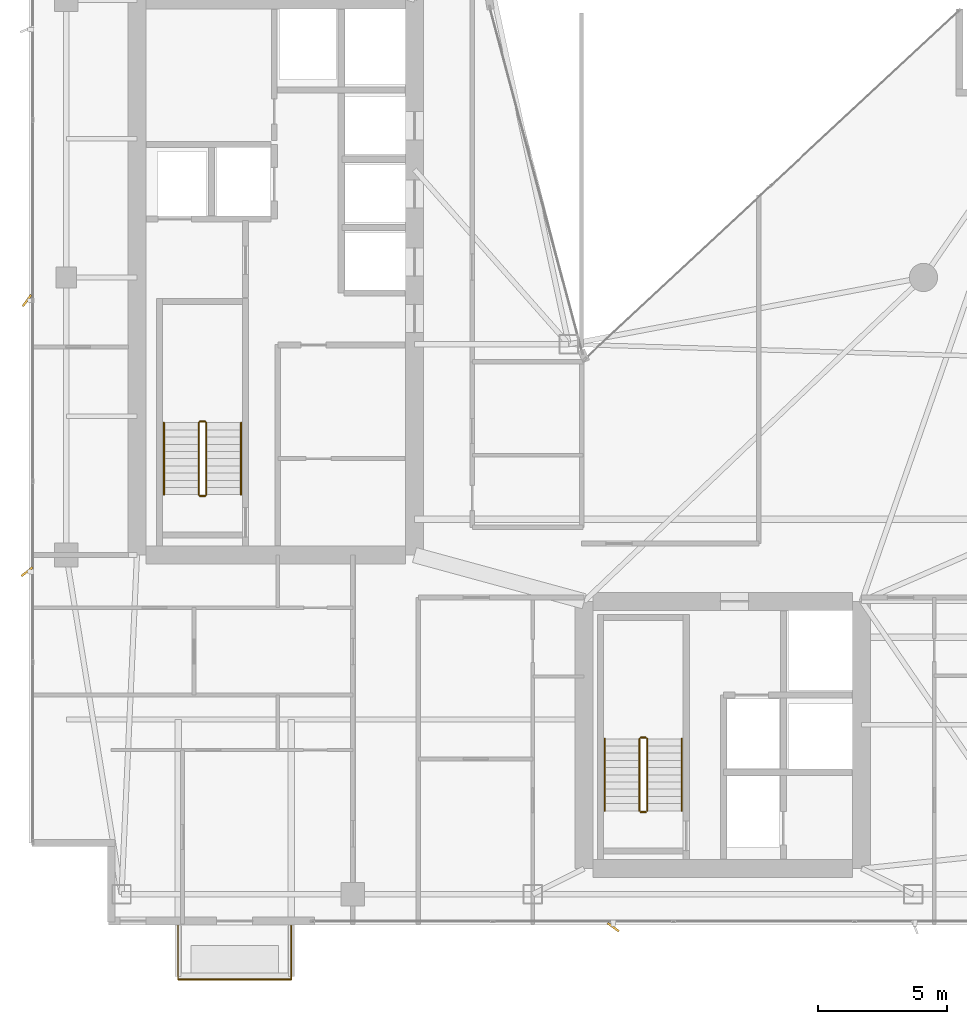
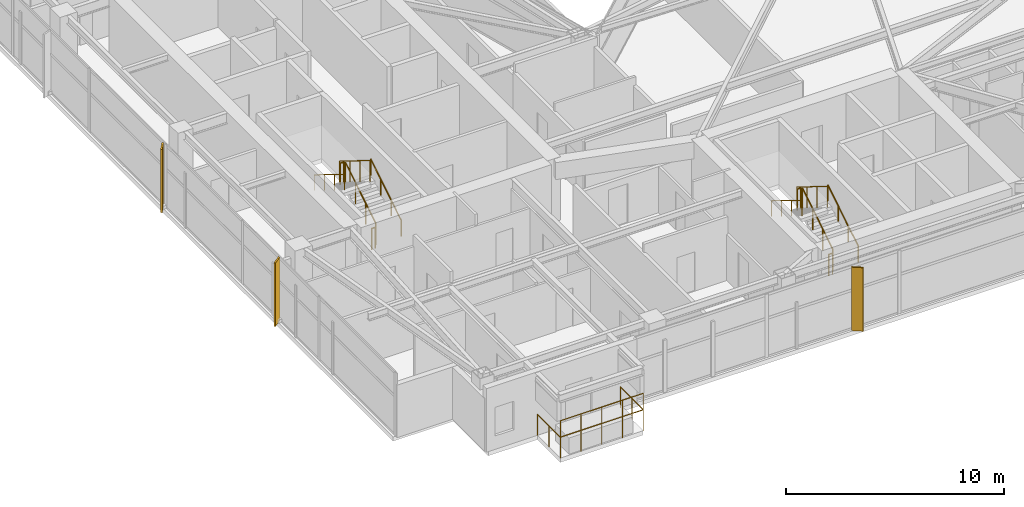
# One storey, part 26 of 27: 14 railings, 3 shading devices.
"""IFC4 building model written with IfcOpenShell, lengths in metres."""

from ifc_helpers import new_model, si_unit, direction, frame, origin, origin_2d, place, context, subcontext, project, spatial, rectangle, circle, extrude, material, type_object, element, save


model = new_model("IFC4")

# Units and contexts
model_context = context("Model", 3, precision=1e-05, world=origin(), true_north=direction((0.0, 1.0)))
body_context = subcontext(model_context, "Body", "Model", "MODEL_VIEW")
ifc_project = project(units=[si_unit("LENGTHUNIT", "METRE"), si_unit("AREAUNIT", "SQUARE_METRE"), si_unit("VOLUMEUNIT", "CUBIC_METRE"), si_unit("PLANEANGLEUNIT", "RADIAN"), si_unit("MASSUNIT", "GRAM", prefix="KILO")], contexts=[model_context])

# Site, building, storey
site_placement = place(None, origin())
site = spatial("IfcSite", under=ifc_project, at=site_placement, CompositionType="ELEMENT")
building_placement = place(site_placement, origin())
building = spatial("IfcBuilding", under=site, at=building_placement, Name="Calvorn Quay Hotel", CompositionType="ELEMENT")
storey_placement = place(building_placement, frame((0.0, 0.0, 223.10009765625)))
storey = spatial("IfcBuildingStorey", under=building, at=storey_placement, Name="L55", CompositionType="ELEMENT", Elevation=223.10009765625)

# Railings
ifc_material_1 = material(Name="Pale Anodised Aluminium and Laminated Glass", Category="aluminium")
railing_type_1 = type_object("IfcRailingType", Name="RLG-BALUSTRADE-1200", PredefinedType="BALUSTRADE", material=ifc_material_1)
railing_1_placement = place(storey_placement, frame((5.800048828125, 2.389892578125, 0.0)))
element("IfcRailing", 1, at=railing_1_placement, inside=storey, type_object=railing_type_1, Name="Tree Balcony Perimeter Balustrade L55-BALC-S", PredefinedType="BALUSTRADE", context=body_context, shape_type="SweptSolid", body=[
    extrude(circle(Radius=0.02392578125, at=origin_2d()), frame((0.0, 0.0, 1.17578125), z_axis=(0.0, -1.0, 0.0), x_axis=(1.0, 0.0, 0.0)), (0.0, 0.0, 1.0), 2.099853515625),
    extrude(circle(Radius=0.02392578125, at=origin_2d()), frame((0.0, -2.099853515625, 1.17578125), z_axis=(1.0, 0.0, 0.0), x_axis=(0.0, 1.0, 0.0)), (0.0, 0.0, 1.0), 4.39990234375),
    extrude(circle(Radius=0.02392578125, at=origin_2d()), frame((4.39990234375, -2.099853515625, 1.17578125), z_axis=(0.0, 1.0, 0.0), x_axis=(-1.0, 0.0, 0.0)), (0.0, 0.0, 1.0), 2.099853515625),
    extrude(circle(Radius=0.02099609375, at=origin_2d()), origin(), (0.0, 0.0, 1.0), 1.15185546875),
    extrude(circle(Radius=0.02099609375, at=origin_2d()), frame((0.0, -1.0498046875, 0.0)), (0.0, 0.0, 1.0), 1.15185546875),
    extrude(circle(Radius=0.02099609375, at=origin_2d()), frame((0.0, -2.099853515625, 0.0)), (0.0, 0.0, 1.0), 1.15185546875),
    extrude(circle(Radius=0.02099609375, at=origin_2d()), frame((1.10009765625, -2.099853515625, 0.0)), (0.0, 0.0, 1.0), 1.15185546875),
    extrude(circle(Radius=0.02099609375, at=origin_2d()), frame((2.199951171875, -2.099853515625, 0.0)), (0.0, 0.0, 1.0), 1.15185546875),
    extrude(circle(Radius=0.02099609375, at=origin_2d()), frame((3.2998046875, -2.099853515625, 0.0)), (0.0, 0.0, 1.0), 1.15185546875),
    extrude(circle(Radius=0.02099609375, at=origin_2d()), frame((4.39990234375, -2.099853515625, 0.0)), (0.0, 0.0, 1.0), 1.15185546875),
    extrude(circle(Radius=0.02099609375, at=origin_2d()), frame((4.39990234375, -1.0498046875, 0.0)), (0.0, 0.0, 1.0), 1.15185546875),
    extrude(circle(Radius=0.02099609375, at=origin_2d()), frame((4.39990234375, 0.0, 0.0)), (0.0, 0.0, 1.0), 1.15185546875),
])
railing_2_placement = place(storey_placement, frame((5.800048828125, 0.2900390625, 0.89990234375)))
element("IfcRailing", 2, at=railing_2_placement, inside=storey, type_object=railing_type_1, Name="Planter Kerb High Safety Screen L55-BALC-S", PredefinedType="BALUSTRADE", context=body_context, shape_type="SweptSolid", body=[
    extrude(circle(Radius=0.02392578125, at=origin_2d()), frame((0.0, 0.0, 1.19580078125), z_axis=(1.0, 0.0, 0.0), x_axis=(0.0, 1.0, 0.0)), (0.0, 0.0, 1.0), 4.39990234375),
    extrude(circle(Radius=0.02099609375, at=origin_2d()), origin(), (0.0, 0.0, 1.0), 1.171875),
    extrude(circle(Radius=0.02099609375, at=origin_2d()), frame((1.10009765625, 0.0, 0.0)), (0.0, 0.0, 1.0), 1.171875),
    extrude(circle(Radius=0.02099609375, at=origin_2d()), frame((2.199951171875, 0.0, 0.0)), (0.0, 0.0, 1.0), 1.171875),
    extrude(circle(Radius=0.02099609375, at=origin_2d()), frame((3.2998046875, 0.0, 0.0)), (0.0, 0.0, 1.0), 1.171875),
    extrude(circle(Radius=0.02099609375, at=origin_2d()), frame((4.39990234375, 0.0, 0.0)), (0.0, 0.0, 1.0), 1.171875),
])
ifc_material_2 = material(Name="Brushed Stainless Steel Handrail", Category="steel")
railing_type_2 = type_object("IfcRailingType", Name="RLG-HANDRAIL-900", PredefinedType="HANDRAIL", material=ifc_material_2)
railing_3_placement = place(storey_placement, frame((8.25, 19.14990234375, 0.172607421875)))
element("IfcRailing", 3, at=railing_3_placement, inside=storey, type_object=railing_type_2, Name="L55 ST-W stair handrail 1", PredefinedType="HANDRAIL", context=body_context, shape_type="SweptSolid", body=[
    extrude(circle(Radius=0.02392578125, at=origin_2d()), frame((0.0, 0.0, 0.8759765625), z_axis=(0.0, 0.851089632645, 0.525020415988), x_axis=(-1.0, 0.0, 0.0)), (0.0, 0.0, 1.0), 3.2900390625),
    extrude(circle(Radius=0.02099609375, at=origin_2d()), origin(), (0.0, 0.0, 1.0), 0.851806640625),
    extrude(circle(Radius=0.02099609375, at=origin_2d()), frame((0.0, 0.933349609375, 0.57568359375)), (0.0, 0.0, 1.0), 0.851806640625),
    extrude(circle(Radius=0.02099609375, at=origin_2d()), frame((0.0, 1.86669921875, 1.151611328125)), (0.0, 0.0, 1.0), 0.851806640625),
    extrude(circle(Radius=0.02099609375, at=origin_2d()), frame((0.0, 2.800048828125, 1.727294921875)), (0.0, 0.0, 1.0), 0.851806640625),
])
railing_4_placement = place(storey_placement, frame((5.25, 21.949951171875, 2.072509765625)))
element("IfcRailing", 4, at=railing_4_placement, inside=storey, type_object=railing_type_2, Name="L55 ST-W stair handrail 2", PredefinedType="HANDRAIL", context=body_context, shape_type="SweptSolid", body=[
    extrude(circle(Radius=0.02392578125, at=origin_2d()), frame((0.0, 0.0, 0.8759765625), z_axis=(0.0, -0.851089632645, 0.525020415988), x_axis=(1.0, 0.0, 0.0)), (0.0, 0.0, 1.0), 3.2900390625),
    extrude(circle(Radius=0.02099609375, at=origin_2d()), origin(), (0.0, 0.0, 1.0), 0.851806640625),
    extrude(circle(Radius=0.02099609375, at=origin_2d()), frame((0.0, -0.933349609375, 0.57568359375)), (0.0, 0.0, 1.0), 0.851806640625),
    extrude(circle(Radius=0.02099609375, at=origin_2d()), frame((0.0, -1.86669921875, 1.151611328125)), (0.0, 0.0, 1.0), 0.851806640625),
    extrude(circle(Radius=0.02099609375, at=origin_2d()), frame((0.0, -2.800048828125, 1.727294921875)), (0.0, 0.0, 1.0), 0.851806640625),
])
railing_5_placement = place(storey_placement, frame((25.39990234375, 6.85009765625, 0.172607421875)))
element("IfcRailing", 5, at=railing_5_placement, inside=storey, type_object=railing_type_2, Name="L55 ST-E stair handrail 1", PredefinedType="HANDRAIL", context=body_context, shape_type="SweptSolid", body=[
    extrude(circle(Radius=0.02392578125, at=origin_2d()), frame((0.0, 0.0, 0.8759765625), z_axis=(0.0, 0.851069175582, 0.525053576669), x_axis=(-1.0, 0.0, 0.0)), (0.0, 0.0, 1.0), 3.289794921875),
    extrude(circle(Radius=0.02099609375, at=origin_2d()), origin(), (0.0, 0.0, 1.0), 0.851806640625),
    extrude(circle(Radius=0.02099609375, at=origin_2d()), frame((0.0, 0.933349609375, 0.57568359375)), (0.0, 0.0, 1.0), 0.851806640625),
    extrude(circle(Radius=0.02099609375, at=origin_2d()), frame((0.0, 1.866455078125, 1.151611328125)), (0.0, 0.0, 1.0), 0.851806640625),
    extrude(circle(Radius=0.02099609375, at=origin_2d()), frame((0.0, 2.7998046875, 1.727294921875)), (0.0, 0.0, 1.0), 0.851806640625),
])
railing_6_placement = place(storey_placement, frame((22.39990234375, 9.64990234375, 2.072509765625)))
element("IfcRailing", 6, at=railing_6_placement, inside=storey, type_object=railing_type_2, Name="L55 ST-E stair handrail 2", PredefinedType="HANDRAIL", context=body_context, shape_type="SweptSolid", body=[
    extrude(circle(Radius=0.02392578125, at=origin_2d()), frame((0.0, 0.0, 0.8759765625), z_axis=(0.0, -0.851069175582, 0.525053576669), x_axis=(1.0, 0.0, 0.0)), (0.0, 0.0, 1.0), 3.289794921875),
    extrude(circle(Radius=0.02099609375, at=origin_2d()), origin(), (0.0, 0.0, 1.0), 0.851806640625),
    extrude(circle(Radius=0.02099609375, at=origin_2d()), frame((0.0, -0.933349609375, 0.57568359375)), (0.0, 0.0, 1.0), 0.851806640625),
    extrude(circle(Radius=0.02099609375, at=origin_2d()), frame((0.0, -1.866455078125, 1.151611328125)), (0.0, 0.0, 1.0), 0.851806640625),
    extrude(circle(Radius=0.02099609375, at=origin_2d()), frame((0.0, -2.7998046875, 1.727294921875)), (0.0, 0.0, 1.0), 0.851806640625),
])
ifc_material_3 = material(Name="Painted Galvanised Steel Balustrade", Category="steel")
railing_type_3 = type_object("IfcRailingType", Name="RLG-STAIR-GUARD-1120", PredefinedType="GUARDRAIL", material=ifc_material_3)
railing_7_placement = place(storey_placement, frame((6.89990234375, 19.14990234375, 0.172607421875)))
element("IfcRailing", 7, at=railing_7_placement, inside=storey, type_object=railing_type_3, Name="L55 ST-W stair guard 1", PredefinedType="GUARDRAIL", context=body_context, shape_type="SweptSolid", body=[
    extrude(circle(Radius=0.02392578125, at=origin_2d()), frame((0.0, 0.0, 1.17578125), z_axis=(0.0, 0.851089632645, 0.525020415988), x_axis=(-1.0, 0.0, 0.0)), (0.0, 0.0, 1.0), 3.2900390625),
    extrude(circle(Radius=0.02099609375, at=origin_2d()), origin(), (0.0, 0.0, 1.0), 1.15185546875),
    extrude(circle(Radius=0.02099609375, at=origin_2d()), frame((0.0, 0.933349609375, 0.57568359375)), (0.0, 0.0, 1.0), 1.15185546875),
    extrude(circle(Radius=0.02099609375, at=origin_2d()), frame((0.0, 1.86669921875, 1.151611328125)), (0.0, 0.0, 1.0), 1.15185546875),
    extrude(circle(Radius=0.02099609375, at=origin_2d()), frame((0.0, 2.800048828125, 1.727294921875)), (0.0, 0.0, 1.0), 1.15185546875),
])
railing_8_placement = place(storey_placement, frame((6.85009765625, 22.0, 1.89990234375)))
element("IfcRailing", 8, at=railing_8_placement, inside=storey, type_object=railing_type_3, Name="L55 ST-W stair guard 2", PredefinedType="GUARDRAIL", context=body_context, shape_type="SweptSolid", body=[
    extrude(circle(Radius=0.02392578125, at=origin_2d()), frame((0.0, 0.0, 1.17578125), z_axis=(-1.0, 0.0, 0.0), x_axis=(0.0, -1.0, 0.0)), (0.0, 0.0, 1.0), 0.2001953125),
    extrude(circle(Radius=0.02099609375, at=origin_2d()), origin(), (0.0, 0.0, 1.0), 1.15185546875),
    extrude(circle(Radius=0.02099609375, at=origin_2d()), frame((-0.2001953125, 0.0, 0.0)), (0.0, 0.0, 1.0), 1.15185546875),
])
railing_9_placement = place(storey_placement, frame((6.60009765625, 21.949951171875, 2.072509765625)))
element("IfcRailing", 9, at=railing_9_placement, inside=storey, type_object=railing_type_3, Name="L55 ST-W stair guard 3", PredefinedType="GUARDRAIL", context=body_context, shape_type="SweptSolid", body=[
    extrude(circle(Radius=0.02392578125, at=origin_2d()), frame((0.0, 0.0, 1.17578125), z_axis=(0.0, -0.851089632645, 0.525020415988), x_axis=(1.0, 0.0, 0.0)), (0.0, 0.0, 1.0), 3.2900390625),
    extrude(circle(Radius=0.02099609375, at=origin_2d()), origin(), (0.0, 0.0, 1.0), 1.15185546875),
    extrude(circle(Radius=0.02099609375, at=origin_2d()), frame((0.0, -0.933349609375, 0.57568359375)), (0.0, 0.0, 1.0), 1.15185546875),
    extrude(circle(Radius=0.02099609375, at=origin_2d()), frame((0.0, -1.86669921875, 1.151611328125)), (0.0, 0.0, 1.0), 1.15185546875),
    extrude(circle(Radius=0.02099609375, at=origin_2d()), frame((0.0, -2.800048828125, 1.727294921875)), (0.0, 0.0, 1.0), 1.15185546875),
])
railing_10_placement = place(storey_placement, frame((6.85009765625, 19.10009765625, 0.0)))
element("IfcRailing", 10, at=railing_10_placement, inside=storey, type_object=railing_type_3, Name="L55 ST-W stair guard 4", PredefinedType="GUARDRAIL", context=body_context, shape_type="SweptSolid", body=[
    extrude(circle(Radius=0.02392578125, at=origin_2d()), frame((0.0, 0.0, 1.17578125), z_axis=(-1.0, 0.0, 0.0), x_axis=(0.0, -1.0, 0.0)), (0.0, 0.0, 1.0), 0.2001953125),
    extrude(circle(Radius=0.02099609375, at=origin_2d()), origin(), (0.0, 0.0, 1.0), 1.15185546875),
    extrude(circle(Radius=0.02099609375, at=origin_2d()), frame((-0.2001953125, 0.0, 0.0)), (0.0, 0.0, 1.0), 1.15185546875),
])
railing_11_placement = place(storey_placement, frame((24.050048828125, 6.85009765625, 0.172607421875)))
element("IfcRailing", 11, at=railing_11_placement, inside=storey, type_object=railing_type_3, Name="L55 ST-E stair guard 1", PredefinedType="GUARDRAIL", context=body_context, shape_type="SweptSolid", body=[
    extrude(circle(Radius=0.02392578125, at=origin_2d()), frame((0.0, 0.0, 1.17578125), z_axis=(0.0, 0.851069175582, 0.525053576669), x_axis=(-1.0, 0.0, 0.0)), (0.0, 0.0, 1.0), 3.289794921875),
    extrude(circle(Radius=0.02099609375, at=origin_2d()), origin(), (0.0, 0.0, 1.0), 1.15185546875),
    extrude(circle(Radius=0.02099609375, at=origin_2d()), frame((0.0, 0.933349609375, 0.57568359375)), (0.0, 0.0, 1.0), 1.15185546875),
    extrude(circle(Radius=0.02099609375, at=origin_2d()), frame((0.0, 1.866455078125, 1.151611328125)), (0.0, 0.0, 1.0), 1.15185546875),
    extrude(circle(Radius=0.02099609375, at=origin_2d()), frame((0.0, 2.7998046875, 1.727294921875)), (0.0, 0.0, 1.0), 1.15185546875),
])
railing_12_placement = place(storey_placement, frame((24.0, 9.699951171875, 1.89990234375)))
element("IfcRailing", 12, at=railing_12_placement, inside=storey, type_object=railing_type_3, Name="L55 ST-E stair guard 2", PredefinedType="GUARDRAIL", context=body_context, shape_type="SweptSolid", body=[
    extrude(circle(Radius=0.02392578125, at=origin_2d()), frame((0.0, 0.0, 1.17578125), z_axis=(-1.0, 0.0, 0.0), x_axis=(0.0, -1.0, 0.0)), (0.0, 0.0, 1.0), 0.199951171875),
    extrude(circle(Radius=0.02099609375, at=origin_2d()), origin(), (0.0, 0.0, 1.0), 1.15185546875),
    extrude(circle(Radius=0.02099609375, at=origin_2d()), frame((-0.199951171875, 0.0, 0.0)), (0.0, 0.0, 1.0), 1.15185546875),
])
railing_13_placement = place(storey_placement, frame((23.75, 9.64990234375, 2.072509765625)))
element("IfcRailing", 13, at=railing_13_placement, inside=storey, type_object=railing_type_3, Name="L55 ST-E stair guard 3", PredefinedType="GUARDRAIL", context=body_context, shape_type="SweptSolid", body=[
    extrude(circle(Radius=0.02392578125, at=origin_2d()), frame((0.0, 0.0, 1.17578125), z_axis=(0.0, -0.851069175582, 0.525053576669), x_axis=(1.0, 0.0, 0.0)), (0.0, 0.0, 1.0), 3.289794921875),
    extrude(circle(Radius=0.02099609375, at=origin_2d()), origin(), (0.0, 0.0, 1.0), 1.15185546875),
    extrude(circle(Radius=0.02099609375, at=origin_2d()), frame((0.0, -0.933349609375, 0.57568359375)), (0.0, 0.0, 1.0), 1.15185546875),
    extrude(circle(Radius=0.02099609375, at=origin_2d()), frame((0.0, -1.866455078125, 1.151611328125)), (0.0, 0.0, 1.0), 1.15185546875),
    extrude(circle(Radius=0.02099609375, at=origin_2d()), frame((0.0, -2.7998046875, 1.727294921875)), (0.0, 0.0, 1.0), 1.15185546875),
])
railing_14_placement = place(storey_placement, frame((24.0, 6.800048828125, 0.0)))
element("IfcRailing", 14, at=railing_14_placement, inside=storey, type_object=railing_type_3, Name="L55 ST-E stair guard 4", PredefinedType="GUARDRAIL", context=body_context, shape_type="SweptSolid", body=[
    extrude(circle(Radius=0.02392578125, at=origin_2d()), frame((0.0, 0.0, 1.17578125), z_axis=(-1.0, 0.0, 0.0), x_axis=(0.0, -1.0, 0.0)), (0.0, 0.0, 1.0), 0.199951171875),
    extrude(circle(Radius=0.02099609375, at=origin_2d()), origin(), (0.0, 0.0, 1.0), 1.15185546875),
    extrude(circle(Radius=0.02099609375, at=origin_2d()), frame((-0.199951171875, 0.0, 0.0)), (0.0, 0.0, 1.0), 1.15185546875),
])

# Shading devices
ifc_material_4 = material(Name="Champagne Bronze Anodised Aluminium 6063-T6", Category="aluminium")
shading_device_type_1 = type_object("IfcShadingDeviceType", Name="SHD-FIN-A2", PredefinedType="USERDEFINED", material=ifc_material_4)
shading_device_placement = place(storey_placement, frame((-0.080078125, 16.14990234375, -0.000244140625), z_axis=(0.0, 0.0, 1.0), x_axis=(0.788010753607, 0.615661475326, 0.0)))
element("IfcShadingDevice", 15, at=shading_device_placement, inside=storey, type_object=shading_device_type_1, Name="Diagonal Sun-Shading Fin L55-W01", ObjectType="FIN", PredefinedType="USERDEFINED", context=body_context, shape_type="SweptSolid", body=[
    extrude(rectangle(XDim=0.550048828125, YDim=0.080078125, at=origin_2d()), origin(), (0.0, 0.0, 1.0), 3.56005859375),
])
ifc_material_5 = material(Name="Champagne Bronze Anodised Aluminium 6063-T6", Category="aluminium")
shading_device_type_2 = type_object("IfcShadingDeviceType", Name="SHD-FIN-A3", PredefinedType="USERDEFINED", material=ifc_material_5)
for number, where, z_axis, x_axis, name in (
    (16, (-0.080078125, 26.699951171875, -0.000244140625), (0.0, 0.0, 1.0), (0.587785252292, 0.809016994375, 0.0), "Diagonal Sun-Shading Fin L55-W02"),
    (17, (22.73291015625, 2.320068359375, -0.000244140625), (0.0, 0.0, 1.0), (-0.809016994375, 0.587785252292, 0.0), "Diagonal Sun-Shading Fin L55-S01"),
):
    element("IfcShadingDevice", number, at=place(storey_placement, frame(where, z_axis=z_axis, x_axis=x_axis)), inside=storey, type_object=shading_device_type_2, Name=name, ObjectType="FIN", PredefinedType="USERDEFINED", context=body_context, shape_type="SweptSolid", body=[
        extrude(rectangle(XDim=0.550048828125, YDim=0.080078125, at=origin_2d()), origin(), (0.0, 0.0, 1.0), 3.56005859375),
    ])

save(model, "model.ifc")
